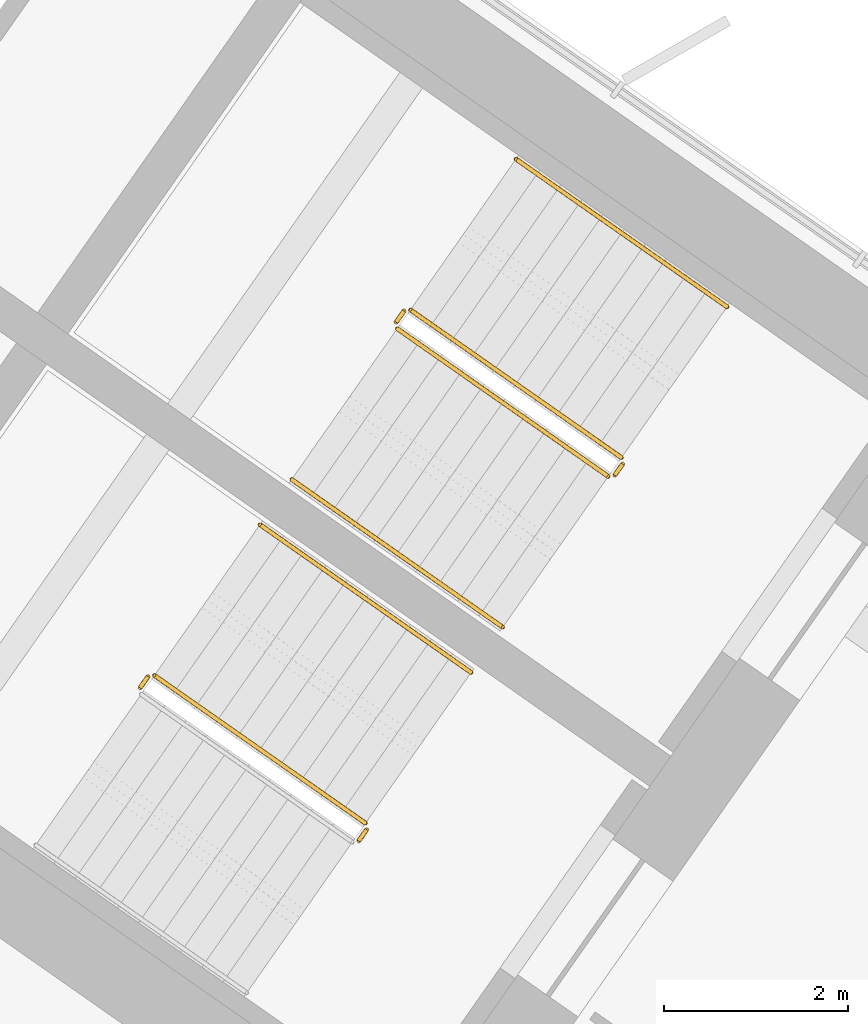
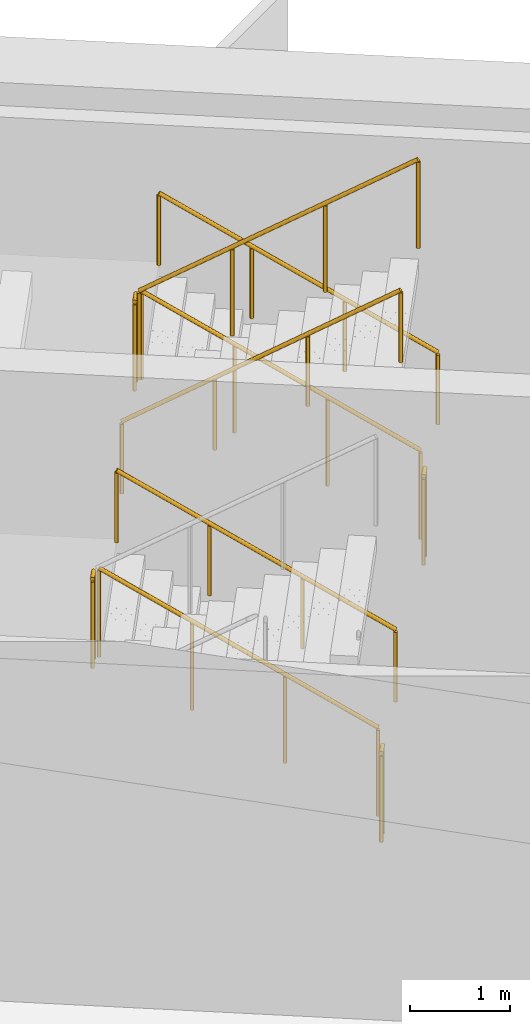
# One storey, part 20 of 21: 10 railings.
"""IFC4 building model written with IfcOpenShell, lengths in metres."""

from ifc_helpers import new_model, si_unit, direction, frame, origin, origin_2d, place, context, subcontext, project, spatial, circle, extrude, material, type_object, element, save


model = new_model("IFC4")

# Units and contexts
model_context = context("Model", 3, precision=1e-05, world=origin(), true_north=direction((0.0, 1.0)))
body_context = subcontext(model_context, "Body", "Model", "MODEL_VIEW")
ifc_project = project(units=[si_unit("LENGTHUNIT", "METRE"), si_unit("AREAUNIT", "SQUARE_METRE"), si_unit("VOLUMEUNIT", "CUBIC_METRE"), si_unit("PLANEANGLEUNIT", "RADIAN"), si_unit("MASSUNIT", "GRAM", prefix="KILO")], contexts=[model_context])

# Site, building, storey
site_placement = place(None, origin())
site = spatial("IfcSite", under=ifc_project, at=site_placement, CompositionType="ELEMENT")
building_placement = place(site_placement, origin())
building = spatial("IfcBuilding", under=site, at=building_placement, Name="Tel Ilan Convention Tower", CompositionType="ELEMENT")
storey_placement = place(building_placement, frame((0.0, 0.0, 139.800048828125)))
storey = spatial("IfcBuildingStorey", under=building, at=storey_placement, Name="L31", CompositionType="ELEMENT", Elevation=139.800048828125)

# Railings
ifc_material_1 = material(Name="Stainless Steel Grade 316", Category="steel")
railing_type_1 = type_object("IfcRailingType", Name="Stainless Steel Stair Guard 1100 mm", PredefinedType="GUARDRAIL", material=ifc_material_1)
railing_1_placement = place(storey_placement, frame((23.6787109375, -7.8515625, 0.17724609375)))
element("IfcRailing", 1, at=railing_1_placement, inside=storey, type_object=railing_type_1, Name="L31 S3 stair guard 1", PredefinedType="GUARDRAIL", context=body_context, shape_type="SweptSolid", body=[
    extrude(circle(Radius=0.02392578125, at=origin_2d()), frame((0.0, 0.0, 1.076171875), z_axis=(-0.692084706163, 0.484621375041, 0.534940073605), x_axis=(-0.573591086599, -0.819141785879, 0.0)), (0.0, 0.0, 1.0), 3.313720703125),
    extrude(circle(Radius=0.02099609375, at=origin_2d()), origin(), (0.0, 0.0, 1.0), 1.052001953125),
    extrude(circle(Radius=0.02099609375, at=origin_2d()), frame((-0.764404296875, 0.535400390625, 0.5908203125)), (0.0, 0.0, 1.0), 1.052001953125),
    extrude(circle(Radius=0.02099609375, at=origin_2d()), frame((-1.529052734375, 1.070556640625, 1.181884765625)), (0.0, 0.0, 1.0), 1.052001953125),
    extrude(circle(Radius=0.02099609375, at=origin_2d()), frame((-2.29345703125, 1.60595703125, 1.772705078125)), (0.0, 0.0, 1.0), 1.052001953125),
])
railing_2_placement = place(storey_placement, frame((21.3154296875, -6.2578125, 1.949951171875)))
element("IfcRailing", 2, at=railing_2_placement, inside=storey, type_object=railing_type_1, Name="L31 S3 stair guard 2", PredefinedType="GUARDRAIL", context=body_context, shape_type="SweptSolid", body=[
    extrude(circle(Radius=0.02392578125, at=origin_2d()), frame((0.0, 0.0, 1.076171875), z_axis=(-0.573353020881, -0.819308436089, 0.0), x_axis=(0.819308436089, -0.573353020881, 0.0)), (0.0, 0.0, 1.0), 0.14990234375),
    extrude(circle(Radius=0.02099609375, at=origin_2d()), origin(), (0.0, 0.0, 1.0), 1.052001953125),
    extrude(circle(Radius=0.02099609375, at=origin_2d()), frame((-0.0859375, -0.122802734375, 0.0)), (0.0, 0.0, 1.0), 1.052001953125),
])
railing_3_placement = place(storey_placement, frame((21.24169921875, -6.4501953125, 2.127197265625)))
element("IfcRailing", 3, at=railing_3_placement, inside=storey, type_object=railing_type_1, Name="L31 S3 stair guard 3", PredefinedType="GUARDRAIL", context=body_context, shape_type="SweptSolid", body=[
    extrude(circle(Radius=0.02392578125, at=origin_2d()), frame((0.0, 0.0, 1.076171875), z_axis=(0.692098378994, -0.484653031975, 0.534893701956), x_axis=(0.573608623498, 0.819129505664, 0.0)), (0.0, 0.0, 1.0), 3.314208984375),
    extrude(circle(Radius=0.02099609375, at=origin_2d()), origin(), (0.0, 0.0, 1.0), 1.052001953125),
    extrude(circle(Radius=0.02099609375, at=origin_2d()), frame((0.7646484375, -0.535400390625, 0.5908203125)), (0.0, 0.0, 1.0), 1.052001953125),
    extrude(circle(Radius=0.02099609375, at=origin_2d()), frame((1.529052734375, -1.07080078125, 1.181884765625)), (0.0, 0.0, 1.0), 1.052001953125),
    extrude(circle(Radius=0.02099609375, at=origin_2d()), frame((2.293701171875, -1.606201171875, 1.772705078125)), (0.0, 0.0, 1.0), 1.052001953125),
])
railing_4_placement = place(storey_placement, frame((23.691162109375, -7.921142578125, 0.0)))
element("IfcRailing", 4, at=railing_4_placement, inside=storey, type_object=railing_type_1, Name="L31 S3 stair guard 4", PredefinedType="GUARDRAIL", context=body_context, shape_type="SweptSolid", body=[
    extrude(circle(Radius=0.02392578125, at=origin_2d()), frame((0.0, 0.0, 1.076171875), z_axis=(-0.574444878118, -0.818543268254, 0.0), x_axis=(0.818543268254, -0.574444878118, 0.0)), (0.0, 0.0, 1.0), 0.150146484375),
    extrude(circle(Radius=0.02099609375, at=origin_2d()), origin(), (0.0, 0.0, 1.0), 1.052001953125),
    extrude(circle(Radius=0.02099609375, at=origin_2d()), frame((-0.086181640625, -0.122802734375, 0.0)), (0.0, 0.0, 1.0), 1.052001953125),
])
railing_5_placement = place(storey_placement, frame((20.89697265625, -11.824462890625, 0.17724609375)))
element("IfcRailing", 5, at=railing_5_placement, inside=storey, type_object=railing_type_1, Name="L31 S4 stair guard 1", PredefinedType="GUARDRAIL", context=body_context, shape_type="SweptSolid", body=[
    extrude(circle(Radius=0.02392578125, at=origin_2d()), frame((0.0, 0.0, 1.076171875), z_axis=(-0.692123088272, 0.484596665743, 0.534912798717), x_axis=(-0.573550118428, -0.819170471667, 0.0)), (0.0, 0.0, 1.0), 3.31396484375),
    extrude(circle(Radius=0.02099609375, at=origin_2d()), origin(), (0.0, 0.0, 1.0), 1.052001953125),
    extrude(circle(Radius=0.02099609375, at=origin_2d()), frame((-0.7646484375, 0.535400390625, 0.5908203125)), (0.0, 0.0, 1.0), 1.052001953125),
    extrude(circle(Radius=0.02099609375, at=origin_2d()), frame((-1.529052734375, 1.070556640625, 1.181884765625)), (0.0, 0.0, 1.0), 1.052001953125),
    extrude(circle(Radius=0.02099609375, at=origin_2d()), frame((-2.293701171875, 1.60595703125, 1.772705078125)), (0.0, 0.0, 1.0), 1.052001953125),
])
for number, where, name in (
    (6, (18.53369140625, -10.230712890625, 1.949951171875), "L31 S4 stair guard 2"),
    (7, (20.9091796875, -11.89404296875, 0.0), "L31 S4 stair guard 4"),
):
    element("IfcRailing", number, at=place(storey_placement, frame(where)), inside=storey, type_object=railing_type_1, Name=name, PredefinedType="GUARDRAIL", context=body_context, shape_type="SweptSolid", body=[
        extrude(circle(Radius=0.02392578125, at=origin_2d()), frame((0.0, 0.0, 1.076171875), z_axis=(-0.573353020881, -0.819308436089, 0.0), x_axis=(0.819308436089, -0.573353020881, 0.0)), (0.0, 0.0, 1.0), 0.14990234375),
        extrude(circle(Radius=0.02099609375, at=origin_2d()), origin(), (0.0, 0.0, 1.0), 1.052001953125),
        extrude(circle(Radius=0.02099609375, at=origin_2d()), frame((-0.0859375, -0.122802734375, 0.0)), (0.0, 0.0, 1.0), 1.052001953125),
    ])
ifc_material_2 = material(Name="Stainless Steel Grade 316", Category="steel")
railing_type_2 = type_object("IfcRailingType", Name="Stainless Steel Stair Handrail 900 mm", PredefinedType="HANDRAIL", material=ifc_material_2)
railing_6_placement = place(storey_placement, frame((24.825927734375, -6.213134765625, 0.17724609375)))
element("IfcRailing", 8, at=railing_6_placement, inside=storey, type_object=railing_type_2, Name="L31 S3 stair handrail 1", PredefinedType="HANDRAIL", context=body_context, shape_type="SweptSolid", body=[
    extrude(circle(Radius=0.02392578125, at=origin_2d()), frame((0.0, 0.0, 0.8759765625), z_axis=(-0.692123088272, 0.484596665743, 0.534912798717), x_axis=(-0.573550118428, -0.819170471667, 0.0)), (0.0, 0.0, 1.0), 3.31396484375),
    extrude(circle(Radius=0.02099609375, at=origin_2d()), origin(), (0.0, 0.0, 1.0), 0.851806640625),
    extrude(circle(Radius=0.02099609375, at=origin_2d()), frame((-0.7646484375, 0.535400390625, 0.5908203125)), (0.0, 0.0, 1.0), 0.851806640625),
    extrude(circle(Radius=0.02099609375, at=origin_2d()), frame((-1.529052734375, 1.070556640625, 1.181884765625)), (0.0, 0.0, 1.0), 0.851806640625),
    extrude(circle(Radius=0.02099609375, at=origin_2d()), frame((-2.293701171875, 1.60595703125, 1.772705078125)), (0.0, 0.0, 1.0), 0.851806640625),
])
railing_7_placement = place(storey_placement, frame((20.0947265625, -8.088623046875, 2.127197265625)))
element("IfcRailing", 9, at=railing_7_placement, inside=storey, type_object=railing_type_2, Name="L31 S3 stair handrail 2", PredefinedType="HANDRAIL", context=body_context, shape_type="SweptSolid", body=[
    extrude(circle(Radius=0.02392578125, at=origin_2d()), frame((0.0, 0.0, 0.8759765625), z_axis=(0.692084706163, -0.484621375041, 0.534940073605), x_axis=(0.573591086599, 0.819141785879, 0.0)), (0.0, 0.0, 1.0), 3.313720703125),
    extrude(circle(Radius=0.02099609375, at=origin_2d()), origin(), (0.0, 0.0, 1.0), 0.851806640625),
    extrude(circle(Radius=0.02099609375, at=origin_2d()), frame((0.764404296875, -0.535400390625, 0.5908203125)), (0.0, 0.0, 1.0), 0.851806640625),
    extrude(circle(Radius=0.02099609375, at=origin_2d()), frame((1.529052734375, -1.070556640625, 1.181884765625)), (0.0, 0.0, 1.0), 0.851806640625),
    extrude(circle(Radius=0.02099609375, at=origin_2d()), frame((2.29345703125, -1.60595703125, 1.772705078125)), (0.0, 0.0, 1.0), 0.851806640625),
])
railing_8_placement = place(storey_placement, frame((22.044189453125, -10.18603515625, 0.17724609375)))
element("IfcRailing", 10, at=railing_8_placement, inside=storey, type_object=railing_type_2, Name="L31 S4 stair handrail 1", PredefinedType="HANDRAIL", context=body_context, shape_type="SweptSolid", body=[
    extrude(circle(Radius=0.02392578125, at=origin_2d()), frame((0.0, 0.0, 0.8759765625), z_axis=(-0.692123088272, 0.484596665743, 0.534912798717), x_axis=(-0.573550118428, -0.819170471667, 0.0)), (0.0, 0.0, 1.0), 3.31396484375),
    extrude(circle(Radius=0.02099609375, at=origin_2d()), origin(), (0.0, 0.0, 1.0), 0.851806640625),
    extrude(circle(Radius=0.02099609375, at=origin_2d()), frame((-0.7646484375, 0.535400390625, 0.5908203125)), (0.0, 0.0, 1.0), 0.851806640625),
    extrude(circle(Radius=0.02099609375, at=origin_2d()), frame((-1.529052734375, 1.070556640625, 1.181884765625)), (0.0, 0.0, 1.0), 0.851806640625),
    extrude(circle(Radius=0.02099609375, at=origin_2d()), frame((-2.293701171875, 1.60595703125, 1.772705078125)), (0.0, 0.0, 1.0), 0.851806640625),
])

save(model, "model.ifc")
